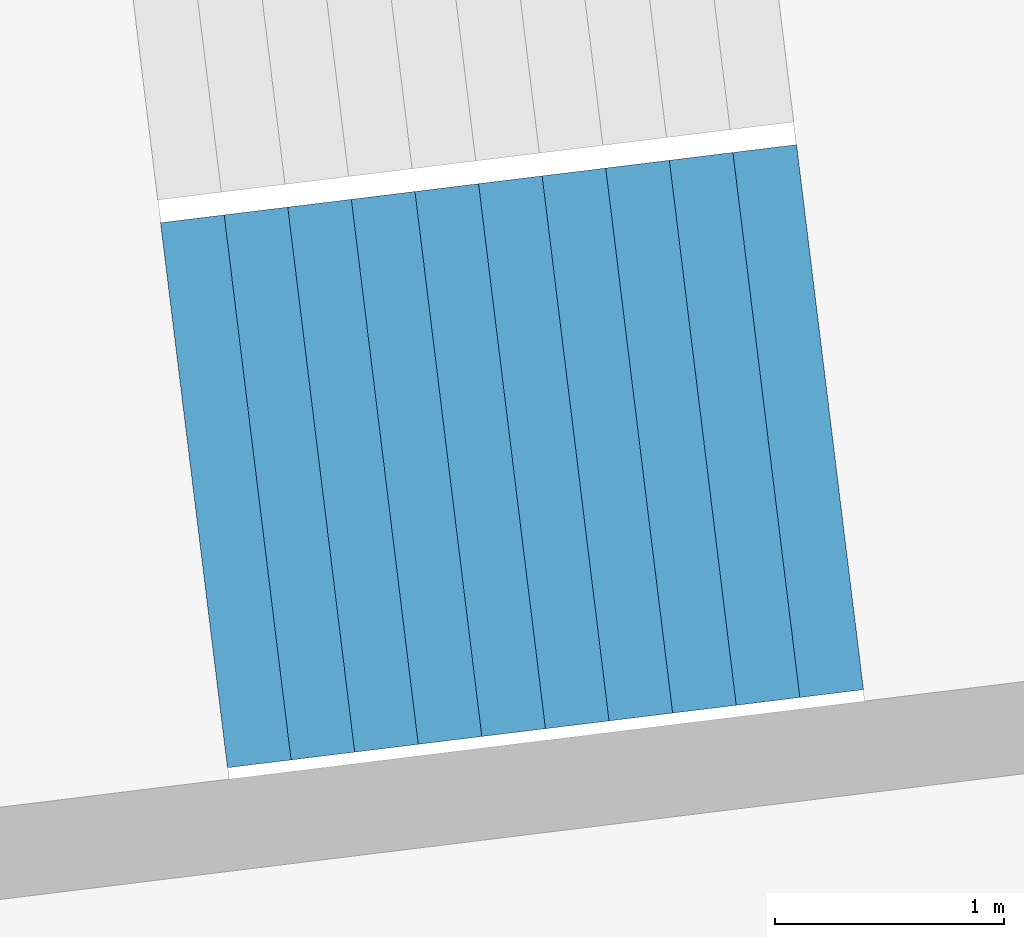
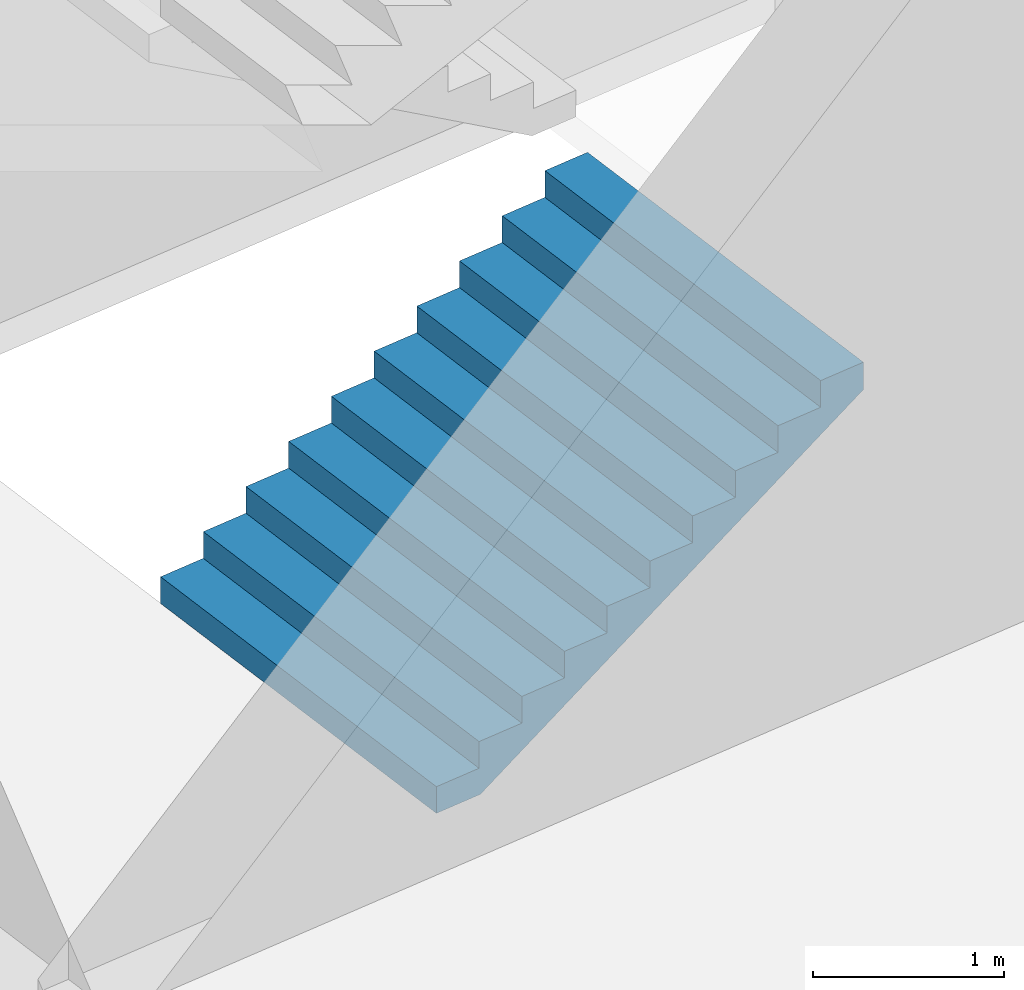
# One storey, part 57 of 73: 1 stair flight, 1 element without a shape of its own.
"""IFC4 building model written with IfcOpenShell, lengths in metres."""

from ifc_helpers import new_model, si_unit, direction, frame, origin, place, context, subcontext, project, spatial, triangles, material, type_object, element, aggregate, save


model = new_model("IFC4")

# Units and contexts
model_context = context("Model", 3, precision=1e-05, world=origin(), true_north=direction((0.0, 1.0)))
body_context = subcontext(model_context, "Body", "Model", "MODEL_VIEW")
ifc_project = project(units=[si_unit("LENGTHUNIT", "METRE"), si_unit("AREAUNIT", "SQUARE_METRE"), si_unit("VOLUMEUNIT", "CUBIC_METRE"), si_unit("PLANEANGLEUNIT", "RADIAN"), si_unit("MASSUNIT", "GRAM", prefix="KILO")], contexts=[model_context])

# Site, building, storey
site_placement = place(None, origin())
site = spatial("IfcSite", under=ifc_project, at=site_placement, CompositionType="ELEMENT")
building_placement = place(site_placement, origin())
building = spatial("IfcBuilding", under=site, at=building_placement, Name="Lantaw Convention Tower", CompositionType="ELEMENT")
storey_placement = place(building_placement, frame((0.0, 0.0, 14.5)))
storey = spatial("IfcBuildingStorey", under=building, at=storey_placement, Name="L02", CompositionType="ELEMENT", Elevation=14.5)

# Stair, stair flight
ifc_material = material(Name="Concrete C35/45", Category="concrete")
stair_type = type_object("IfcStairType", Name="Exit stair 2400 riser 170.45 in 4 flights", PredefinedType="HALF_TURN_STAIR", material=ifc_material)
stair_placement = place(storey_placement, origin())
stair = element("IfcStair", 1, at=stair_placement, inside=storey, type_object=stair_type, Name="Podium exit stair P1 L02", PredefinedType="HALF_TURN_STAIR")
stair_flight_type = type_object("IfcStairFlightType", Name="Stair flight 2400 riser 170.45", PredefinedType="STRAIGHT", material=ifc_material)
stair_flight_placement = place(storey_placement, frame((38.2763671875, 3.4404296875, 0.0), z_axis=(0.0, 0.0, 1.0), x_axis=(0.992546151641, 0.121869343405, 0.0)))
stair_flight = element("IfcStairFlight", 2, at=stair_flight_placement, type_object=stair_flight_type, Name="P1 flight 1", NumberOfRisers=11, NumberOfTreads=10, PredefinedType="STRAIGHT", RiserHeight=0.170454545, TreadLength=0.28, context=body_context, shape_type="Tessellation", body=[
    triangles([(0.0, 1.199951171875, 0.0), (0.0, 1.199951171875, 0.170454545), (0.28, 1.199951171875, 0.0), (0.28, 1.199951171875, 0.170454545), (0.28, 1.199951171875, 0.34090909), (0.28827876332691904, 1.199951171875, 0.0), (0.28827876332691904, 1.199951171875, 0.34090909), (0.56, 1.199951171875, 0.16541471344266906), (0.56, 1.199951171875, 0.34090909), (0.56, 1.199951171875, 0.511363635), (0.8400000000000001, 1.199951171875, 0.335869258442669), (0.8400000000000001, 1.199951171875, 0.511363635), (0.8400000000000001, 1.199951171875, 0.68181818), (1.12, 1.199951171875, 0.506323803442669), (1.12, 1.199951171875, 0.68181818), (1.12, 1.199951171875, 0.8522727250000001), (1.4000000000000001, 1.199951171875, 0.676778348442669), (1.4000000000000001, 1.199951171875, 0.8522727250000001), (1.4000000000000001, 1.199951171875, 1.02272727), (1.6800000000000002, 1.199951171875, 0.847232893442669), (1.6800000000000002, 1.199951171875, 1.02272727), (1.6800000000000002, 1.199951171875, 1.193181815), (1.9600000000000002, 1.199951171875, 1.017687438442669), (1.9600000000000002, 1.199951171875, 1.193181815), (1.9600000000000002, 1.199951171875, 1.36363636), (2.24, 1.199951171875, 1.188141983442669), (2.24, 1.199951171875, 1.36363636), (2.24, 1.199951171875, 1.5340909050000002), (2.5200000000000005, 1.199951171875, 1.358596528442669), (2.5200000000000005, 1.199951171875, 1.5340909050000002), (2.5200000000000005, 1.199951171875, 1.7045454500000001), (2.8000000000000003, 1.199951171875, 1.529051073442669), (2.8000000000000003, 1.199951171875, 1.7045454500000001), (0.0, -1.199951171875, 0.0), (0.0, -1.199951171875, 0.170454545), (0.28, -1.199951171875, 0.0), (0.28, -1.199951171875, 0.170454545), (0.28, -1.199951171875, 0.34090909), (0.28827876332691904, -1.199951171875, 0.0), (0.28827876332691904, -1.199951171875, 0.34090909), (0.56, -1.199951171875, 0.16541471344266906), (0.56, -1.199951171875, 0.34090909), (0.56, -1.199951171875, 0.511363635), (0.8400000000000001, -1.199951171875, 0.335869258442669), (0.8400000000000001, -1.199951171875, 0.511363635), (0.8400000000000001, -1.199951171875, 0.68181818), (1.12, -1.199951171875, 0.506323803442669), (1.12, -1.199951171875, 0.68181818), (1.12, -1.199951171875, 0.8522727250000001), (1.4000000000000001, -1.199951171875, 0.676778348442669), (1.4000000000000001, -1.199951171875, 0.8522727250000001), (1.4000000000000001, -1.199951171875, 1.02272727), (1.6800000000000002, -1.199951171875, 0.847232893442669), (1.6800000000000002, -1.199951171875, 1.02272727), (1.6800000000000002, -1.199951171875, 1.193181815), (1.9600000000000002, -1.199951171875, 1.017687438442669), (1.9600000000000002, -1.199951171875, 1.193181815), (1.9600000000000002, -1.199951171875, 1.36363636), (2.24, -1.199951171875, 1.188141983442669), (2.24, -1.199951171875, 1.36363636), (2.24, -1.199951171875, 1.5340909050000002), (2.5200000000000005, -1.199951171875, 1.358596528442669), (2.5200000000000005, -1.199951171875, 1.5340909050000002), (2.5200000000000005, -1.199951171875, 1.7045454500000001), (2.8000000000000003, -1.199951171875, 1.529051073442669), (2.8000000000000003, -1.199951171875, 1.7045454500000001), (0.0, 0.239990234375, 0.170454545), (0.0, 0.239990234375, 0.0), (0.0, 0.1199951171875, 0.170454545), (0.0, 0.1199951171875, 0.0), (0.0, 0.0, 0.170454545), (0.0, 0.0, 0.0), (0.0, -0.1199951171875, 0.170454545), (0.0, -0.1199951171875, 0.0), (0.0, -0.239990234375, 0.170454545), (0.0, -0.239990234375, 0.0), (0.28, 0.239990234375, 0.34090909), (0.28, 0.239990234375, 0.170454545), (0.28, 0.1199951171875, 0.34090909), (0.28, 0.1199951171875, 0.170454545), (0.28, 0.0, 0.34090909), (0.28, 0.0, 0.170454545), (0.28, -0.1199951171875, 0.34090909), (0.28, -0.1199951171875, 0.170454545), (0.28, -0.239990234375, 0.34090909), (0.28, -0.239990234375, 0.170454545), (0.56, 0.239990234375, 0.511363635), (0.56, 0.239990234375, 0.34090909), (0.56, 0.1199951171875, 0.511363635), (0.56, 0.1199951171875, 0.34090909), (0.56, 0.0, 0.511363635), (0.56, 0.0, 0.34090909), (0.56, -0.1199951171875, 0.511363635), (0.56, -0.1199951171875, 0.34090909), (0.56, -0.239990234375, 0.511363635), (0.56, -0.239990234375, 0.34090909), (0.8400000000000001, 0.239990234375, 0.68181818), (0.8400000000000001, 0.239990234375, 0.511363635), (0.8400000000000001, 0.1199951171875, 0.68181818), (0.8400000000000001, 0.1199951171875, 0.511363635), (0.8400000000000001, 0.0, 0.68181818), (0.8400000000000001, 0.0, 0.511363635), (0.8400000000000001, -0.1199951171875, 0.68181818), (0.8400000000000001, -0.1199951171875, 0.511363635), (0.8400000000000001, -0.239990234375, 0.68181818), (0.8400000000000001, -0.239990234375, 0.511363635), (1.12, 0.239990234375, 0.8522727250000001), (1.12, 0.239990234375, 0.68181818), (1.12, 0.1199951171875, 0.8522727250000001), (1.12, 0.1199951171875, 0.68181818), (1.12, 0.0, 0.8522727250000001), (1.12, 0.0, 0.68181818), (1.12, -0.1199951171875, 0.8522727250000001), (1.12, -0.1199951171875, 0.68181818), (1.12, -0.239990234375, 0.8522727250000001), (1.12, -0.239990234375, 0.68181818), (1.4000000000000001, 0.239990234375, 1.02272727), (1.4000000000000001, 0.239990234375, 0.8522727250000001), (1.4000000000000001, 0.1199951171875, 1.02272727), (1.4000000000000001, 0.1199951171875, 0.8522727250000001), (1.4000000000000001, 0.0, 1.02272727), (1.4000000000000001, 0.0, 0.8522727250000001), (1.4000000000000001, -0.1199951171875, 1.02272727), (1.4000000000000001, -0.1199951171875, 0.8522727250000001), (1.4000000000000001, -0.239990234375, 1.02272727), (1.4000000000000001, -0.239990234375, 0.8522727250000001), (1.6800000000000002, 0.239990234375, 1.193181815), (1.6800000000000002, 0.239990234375, 1.02272727), (1.6800000000000002, 0.1199951171875, 1.193181815), (1.6800000000000002, 0.1199951171875, 1.02272727), (1.6800000000000002, 0.0, 1.193181815), (1.6800000000000002, 0.0, 1.02272727), (1.6800000000000002, -0.1199951171875, 1.193181815), (1.6800000000000002, -0.1199951171875, 1.02272727), (1.6800000000000002, -0.239990234375, 1.193181815), (1.6800000000000002, -0.239990234375, 1.02272727), (1.9600000000000002, 0.239990234375, 1.36363636), (1.9600000000000002, 0.239990234375, 1.193181815), (1.9600000000000002, 0.1199951171875, 1.36363636), (1.9600000000000002, 0.1199951171875, 1.193181815), (1.9600000000000002, 0.0, 1.36363636), (1.9600000000000002, 0.0, 1.193181815), (1.9600000000000002, -0.1199951171875, 1.36363636), (1.9600000000000002, -0.1199951171875, 1.193181815), (1.9600000000000002, -0.239990234375, 1.36363636), (1.9600000000000002, -0.239990234375, 1.193181815), (2.24, 0.239990234375, 1.5340909050000002), (2.24, 0.239990234375, 1.36363636), (2.24, 0.1199951171875, 1.5340909050000002), (2.24, 0.1199951171875, 1.36363636), (2.24, 0.0, 1.5340909050000002), (2.24, 0.0, 1.36363636), (2.24, -0.1199951171875, 1.5340909050000002), (2.24, -0.1199951171875, 1.36363636), (2.24, -0.239990234375, 1.5340909050000002), (2.24, -0.239990234375, 1.36363636), (2.5200000000000005, 0.239990234375, 1.7045454500000001), (2.5200000000000005, 0.239990234375, 1.5340909050000002), (2.5200000000000005, 0.1199951171875, 1.7045454500000001), (2.5200000000000005, 0.1199951171875, 1.5340909050000002), (2.5200000000000005, 0.0, 1.7045454500000001), (2.5200000000000005, 0.0, 1.5340909050000002), (2.5200000000000005, -0.1199951171875, 1.7045454500000001), (2.5200000000000005, -0.1199951171875, 1.5340909050000002), (2.5200000000000005, -0.239990234375, 1.7045454500000001), (2.5200000000000005, -0.239990234375, 1.5340909050000002), (0.28827876332691904, 0.239990234375, 0.34090909), (0.28827876332691904, 0.1199951171875, 0.34090909), (0.28827876332691904, 0.0, 0.34090909), (0.28827876332691904, -0.1199951171875, 0.34090909), (0.28827876332691904, -0.239990234375, 0.34090909), (2.8000000000000003, 0.239990234375, 1.7045454500000001), (2.8000000000000003, 0.1199951171875, 1.7045454500000001), (2.8000000000000003, 0.0, 1.7045454500000001), (2.8000000000000003, -0.1199951171875, 1.7045454500000001), (2.8000000000000003, -0.239990234375, 1.7045454500000001), (2.8000000000000003, 0.239990234375, 1.5290510734426692), (2.8000000000000003, 0.1199951171875, 1.5290510734426692), (2.8000000000000003, 0.0, 1.5290510734426692), (2.8000000000000003, -0.1199951171875, 1.5290510734426692), (2.8000000000000003, -0.239990234375, 1.5290510734426692), (2.5200000000000005, 0.239990234375, 1.358596528442669), (2.5200000000000005, 0.1199951171875, 1.358596528442669), (2.5200000000000005, 0.0, 1.358596528442669), (2.5200000000000005, -0.1199951171875, 1.358596528442669), (2.5200000000000005, -0.239990234375, 1.358596528442669), (2.24, 0.239990234375, 1.188141983442669), (2.24, 0.1199951171875, 1.188141983442669), (2.24, 0.0, 1.188141983442669), (2.24, -0.1199951171875, 1.188141983442669), (2.24, -0.239990234375, 1.188141983442669), (1.9600000000000002, 0.239990234375, 1.017687438442669), (1.9600000000000002, 0.1199951171875, 1.017687438442669), (1.9600000000000002, 0.0, 1.017687438442669), (1.9600000000000002, -0.1199951171875, 1.017687438442669), (1.9600000000000002, -0.239990234375, 1.017687438442669), (1.6800000000000002, 0.239990234375, 0.847232893442669), (1.6800000000000002, 0.1199951171875, 0.847232893442669), (1.6800000000000002, 0.0, 0.847232893442669), (1.6800000000000002, -0.1199951171875, 0.847232893442669), (1.6800000000000002, -0.239990234375, 0.847232893442669), (1.4000000000000001, 0.239990234375, 0.676778348442669), (1.4000000000000001, 0.1199951171875, 0.676778348442669), (1.4000000000000001, 0.0, 0.676778348442669), (1.4000000000000001, -0.1199951171875, 0.676778348442669), (1.4000000000000001, -0.239990234375, 0.676778348442669), (1.12, 0.239990234375, 0.506323803442669), (1.12, 0.1199951171875, 0.506323803442669), (1.12, 0.0, 0.506323803442669), (1.12, -0.1199951171875, 0.506323803442669), (1.12, -0.239990234375, 0.506323803442669), (0.8400000000000001, 0.239990234375, 0.335869258442669), (0.8400000000000001, 0.1199951171875, 0.335869258442669), (0.8400000000000001, 0.0, 0.335869258442669), (0.8400000000000001, -0.1199951171875, 0.335869258442669), (0.8400000000000001, -0.239990234375, 0.335869258442669), (0.56, 0.239990234375, 0.16541471344266906), (0.56, 0.1199951171875, 0.16541471344266906), (0.56, 0.0, 0.16541471344266906), (0.56, -0.1199951171875, 0.16541471344266906), (0.56, -0.239990234375, 0.16541471344266906), (0.28827876332691904, 0.239990234375, 0.0), (0.28827876332691904, 0.1199951171875, 0.0), (0.28827876332691904, 0.0, 0.0), (0.28827876332691904, -0.1199951171875, 0.0), (0.28827876332691904, -0.239990234375, 0.0), (0.28, 0.239990234375, 0.0), (0.28, 0.1199951171875, 0.0), (0.28, 0.0, 0.0), (0.28, -0.1199951171875, 0.0), (0.28, -0.239990234375, 0.0)], [[1, 4, 3], [1, 2, 4], [3, 4, 6], [4, 7, 6], [4, 5, 7], [6, 9, 8], [6, 7, 9], [8, 9, 11], [9, 12, 11], [9, 10, 12], [11, 12, 14], [12, 15, 14], [12, 13, 15], [14, 15, 17], [15, 18, 17], [15, 16, 18], [17, 18, 20], [18, 21, 20], [18, 19, 21], [20, 21, 23], [21, 24, 23], [21, 22, 24], [23, 24, 26], [24, 27, 26], [24, 25, 27], [26, 27, 29], [27, 30, 29], [27, 28, 30], [29, 30, 32], [30, 33, 32], [30, 31, 33], [34, 36, 37], [34, 37, 35], [36, 39, 37], [37, 39, 40], [37, 40, 38], [39, 41, 42], [39, 42, 40], [41, 44, 42], [42, 44, 45], [42, 45, 43], [44, 47, 45], [45, 47, 48], [45, 48, 46], [47, 50, 48], [48, 50, 51], [48, 51, 49], [50, 53, 51], [51, 53, 54], [51, 54, 52], [53, 56, 54], [54, 56, 57], [54, 57, 55], [56, 59, 57], [57, 59, 60], [57, 60, 58], [59, 62, 60], [60, 62, 63], [60, 63, 61], [62, 65, 63], [63, 65, 66], [63, 66, 64], [1, 67, 2], [1, 68, 67], [68, 69, 67], [68, 70, 69], [70, 71, 69], [70, 72, 71], [72, 73, 71], [72, 74, 73], [74, 75, 73], [74, 76, 75], [76, 35, 75], [76, 34, 35], [4, 77, 5], [4, 78, 77], [78, 79, 77], [78, 80, 79], [80, 81, 79], [80, 82, 81], [82, 83, 81], [82, 84, 83], [84, 85, 83], [84, 86, 85], [86, 38, 85], [86, 37, 38], [9, 87, 10], [9, 88, 87], [88, 89, 87], [88, 90, 89], [90, 91, 89], [90, 92, 91], [92, 93, 91], [92, 94, 93], [94, 95, 93], [94, 96, 95], [96, 43, 95], [96, 42, 43], [12, 97, 13], [12, 98, 97], [98, 99, 97], [98, 100, 99], [100, 101, 99], [100, 102, 101], [102, 103, 101], [102, 104, 103], [104, 105, 103], [104, 106, 105], [106, 46, 105], [106, 45, 46], [15, 107, 16], [15, 108, 107], [108, 109, 107], [108, 110, 109], [110, 111, 109], [110, 112, 111], [112, 113, 111], [112, 114, 113], [114, 115, 113], [114, 116, 115], [116, 49, 115], [116, 48, 49], [18, 117, 19], [18, 118, 117], [118, 119, 117], [118, 120, 119], [120, 121, 119], [120, 122, 121], [122, 123, 121], [122, 124, 123], [124, 125, 123], [124, 126, 125], [126, 52, 125], [126, 51, 52], [21, 127, 22], [21, 128, 127], [128, 129, 127], [128, 130, 129], [130, 131, 129], [130, 132, 131], [132, 133, 131], [132, 134, 133], [134, 135, 133], [134, 136, 135], [136, 55, 135], [136, 54, 55], [24, 137, 25], [24, 138, 137], [138, 139, 137], [138, 140, 139], [140, 141, 139], [140, 142, 141], [142, 143, 141], [142, 144, 143], [144, 145, 143], [144, 146, 145], [146, 58, 145], [146, 57, 58], [27, 147, 28], [27, 148, 147], [148, 149, 147], [148, 150, 149], [150, 151, 149], [150, 152, 151], [152, 153, 151], [152, 154, 153], [154, 155, 153], [154, 156, 155], [156, 61, 155], [156, 60, 61], [30, 157, 31], [30, 158, 157], [158, 159, 157], [158, 160, 159], [160, 161, 159], [160, 162, 161], [162, 163, 161], [162, 164, 163], [164, 165, 163], [164, 166, 165], [166, 64, 165], [166, 63, 64], [2, 78, 4], [2, 67, 78], [67, 80, 78], [67, 69, 80], [69, 82, 80], [69, 71, 82], [71, 84, 82], [71, 73, 84], [73, 86, 84], [73, 75, 86], [75, 37, 86], [75, 35, 37], [5, 167, 7], [5, 77, 167], [77, 168, 167], [77, 79, 168], [79, 169, 168], [79, 81, 169], [81, 170, 169], [81, 83, 170], [83, 171, 170], [83, 85, 171], [85, 40, 171], [85, 38, 40], [7, 88, 9], [7, 167, 88], [167, 90, 88], [167, 168, 90], [168, 92, 90], [168, 169, 92], [169, 94, 92], [169, 170, 94], [170, 96, 94], [170, 171, 96], [171, 42, 96], [171, 40, 42], [10, 98, 12], [10, 87, 98], [87, 100, 98], [87, 89, 100], [89, 102, 100], [89, 91, 102], [91, 104, 102], [91, 93, 104], [93, 106, 104], [93, 95, 106], [95, 45, 106], [95, 43, 45], [13, 108, 15], [13, 97, 108], [97, 110, 108], [97, 99, 110], [99, 112, 110], [99, 101, 112], [101, 114, 112], [101, 103, 114], [103, 116, 114], [103, 105, 116], [105, 48, 116], [105, 46, 48], [16, 118, 18], [16, 107, 118], [107, 120, 118], [107, 109, 120], [109, 122, 120], [109, 111, 122], [111, 124, 122], [111, 113, 124], [113, 126, 124], [113, 115, 126], [115, 51, 126], [115, 49, 51], [19, 128, 21], [19, 117, 128], [117, 130, 128], [117, 119, 130], [119, 132, 130], [119, 121, 132], [121, 134, 132], [121, 123, 134], [123, 136, 134], [123, 125, 136], [125, 54, 136], [125, 52, 54], [22, 138, 24], [22, 127, 138], [127, 140, 138], [127, 129, 140], [129, 142, 140], [129, 131, 142], [131, 144, 142], [131, 133, 144], [133, 146, 144], [133, 135, 146], [135, 57, 146], [135, 55, 57], [25, 148, 27], [25, 137, 148], [137, 150, 148], [137, 139, 150], [139, 152, 150], [139, 141, 152], [141, 154, 152], [141, 143, 154], [143, 156, 154], [143, 145, 156], [145, 60, 156], [145, 58, 60], [28, 158, 30], [28, 147, 158], [147, 160, 158], [147, 149, 160], [149, 162, 160], [149, 151, 162], [151, 164, 162], [151, 153, 164], [153, 166, 164], [153, 155, 166], [155, 63, 166], [155, 61, 63], [31, 172, 33], [31, 157, 172], [157, 173, 172], [157, 159, 173], [159, 174, 173], [159, 161, 174], [161, 175, 174], [161, 163, 175], [163, 176, 175], [163, 165, 176], [165, 66, 176], [165, 64, 66], [33, 177, 32], [33, 172, 177], [172, 178, 177], [172, 173, 178], [173, 179, 178], [173, 174, 179], [174, 180, 179], [174, 175, 180], [175, 181, 180], [175, 176, 181], [176, 65, 181], [176, 66, 65], [32, 182, 29], [32, 177, 182], [177, 183, 182], [177, 178, 183], [178, 184, 183], [178, 179, 184], [179, 185, 184], [179, 180, 185], [180, 186, 185], [180, 181, 186], [181, 62, 186], [181, 65, 62], [29, 187, 26], [29, 182, 187], [182, 188, 187], [182, 183, 188], [183, 189, 188], [183, 184, 189], [184, 190, 189], [184, 185, 190], [185, 191, 190], [185, 186, 191], [186, 59, 191], [186, 62, 59], [26, 192, 23], [26, 187, 192], [187, 193, 192], [187, 188, 193], [188, 194, 193], [188, 189, 194], [189, 195, 194], [189, 190, 195], [190, 196, 195], [190, 191, 196], [191, 56, 196], [191, 59, 56], [23, 197, 20], [23, 192, 197], [192, 198, 197], [192, 193, 198], [193, 199, 198], [193, 194, 199], [194, 200, 199], [194, 195, 200], [195, 201, 200], [195, 196, 201], [196, 53, 201], [196, 56, 53], [20, 202, 17], [20, 197, 202], [197, 203, 202], [197, 198, 203], [198, 204, 203], [198, 199, 204], [199, 205, 204], [199, 200, 205], [200, 206, 205], [200, 201, 206], [201, 50, 206], [201, 53, 50], [17, 207, 14], [17, 202, 207], [202, 208, 207], [202, 203, 208], [203, 209, 208], [203, 204, 209], [204, 210, 209], [204, 205, 210], [205, 211, 210], [205, 206, 211], [206, 47, 211], [206, 50, 47], [14, 212, 11], [14, 207, 212], [207, 213, 212], [207, 208, 213], [208, 214, 213], [208, 209, 214], [209, 215, 214], [209, 210, 215], [210, 216, 215], [210, 211, 216], [211, 44, 216], [211, 47, 44], [11, 217, 8], [11, 212, 217], [212, 218, 217], [212, 213, 218], [213, 219, 218], [213, 214, 219], [214, 220, 219], [214, 215, 220], [215, 221, 220], [215, 216, 221], [216, 41, 221], [216, 44, 41], [8, 222, 6], [8, 217, 222], [217, 223, 222], [217, 218, 223], [218, 224, 223], [218, 219, 224], [219, 225, 224], [219, 220, 225], [220, 226, 225], [220, 221, 226], [221, 39, 226], [221, 41, 39], [6, 227, 3], [6, 222, 227], [222, 228, 227], [222, 223, 228], [223, 229, 228], [223, 224, 229], [224, 230, 229], [224, 225, 230], [225, 231, 230], [225, 226, 231], [226, 36, 231], [226, 39, 36], [3, 68, 1], [3, 227, 68], [227, 70, 68], [227, 228, 70], [228, 72, 70], [228, 229, 72], [229, 74, 72], [229, 230, 74], [230, 76, 74], [230, 231, 76], [231, 34, 76], [231, 36, 34]], closed=True),
])
aggregate(stair, [stair_flight])

save(model, "model.ifc")
